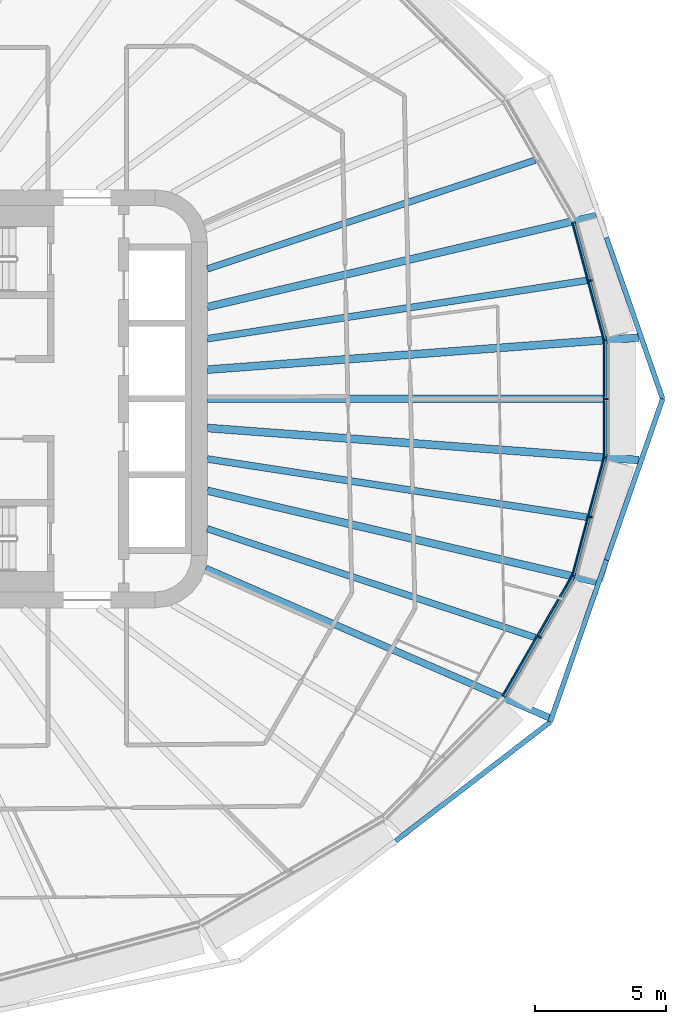
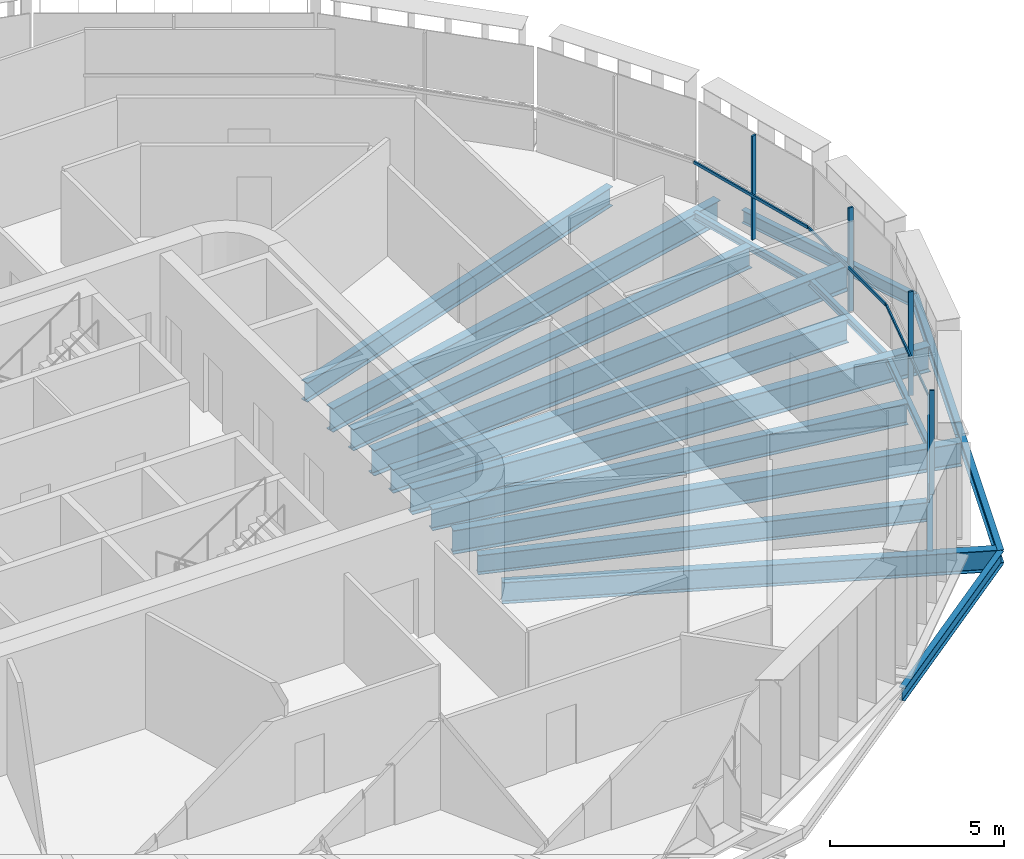
# One storey, part 5 of 22: 18 beams, 8 members, 4 elements without a shape of their own.
"""IFC4 building model written with IfcOpenShell, lengths in metres."""

from ifc_helpers import new_model, si_unit, direction, frame, origin, origin_2d, place, context, subcontext, project, spatial, rectangle, i_section, extrude, material, layer, layer_set, material_profile, profile_set, type_object, element, aggregate, save


model = new_model("IFC4")

# Units and contexts
model_context = context("Model", 3, precision=1e-05, world=origin(), true_north=direction((0.0, 1.0)))
body_context = subcontext(model_context, "Body", "Model", "MODEL_VIEW")
ifc_project = project(units=[si_unit("LENGTHUNIT", "METRE"), si_unit("AREAUNIT", "SQUARE_METRE"), si_unit("VOLUMEUNIT", "CUBIC_METRE"), si_unit("PLANEANGLEUNIT", "RADIAN"), si_unit("MASSUNIT", "GRAM", prefix="KILO")], contexts=[model_context])

# Site, building, storey
site_placement = place(None, origin())
site = spatial("IfcSite", under=ifc_project, at=site_placement, CompositionType="ELEMENT")
building_placement = place(site_placement, origin())
building = spatial("IfcBuilding", under=site, at=building_placement, Name="Sahrelin Media Tower", CompositionType="ELEMENT")
storey_placement = place(building_placement, frame((0.0, 0.0, 50.39990234375)))
storey = spatial("IfcBuildingStorey", under=building, at=storey_placement, Name="L07", CompositionType="ELEMENT", Elevation=50.39990234375)

# Beams
ifc_material_1 = material(Name="Steel S355", Category="steel")
ifc_material_profile_1 = material_profile(ifc_material_1, i_section(OverallWidth=0.14599609375, OverallDepth=0.25146484375, WebThickness=0.006103515625, FlangeThickness=0.008544921875, FilletRadius=0.007568359375, at=origin_2d()), Name="UB 254x146x31")
ifc_profile_set_1 = profile_set([ifc_material_profile_1], Name="Steel S355")
beam_type_1 = type_object("IfcBeamType", Name="Edge beam EB1", PredefinedType="BEAM", material=ifc_profile_set_1)
beam_1_placement = place(storey_placement, frame((30.21728515625, 2.226806640625, -0.275634765625), z_axis=(0.0, -1.0, 0.0), x_axis=(1.0, 0.0, 0.0)))
element("IfcBeam", 1, at=beam_1_placement, inside=storey, type_object=beam_type_1, Name="Edge beam L07-01", PredefinedType="BEAM", context=body_context, shape_type="SweptSolid", body=[
    extrude(i_section(OverallWidth=0.14599609375, OverallDepth=0.25146484375, WebThickness=0.006103515625, FlangeThickness=0.008544921875, FilletRadius=0.007568359375, at=origin_2d()), origin(), (0.0, 0.0, 1.0), 4.45361328125),
])
for number, where, z_axis, x_axis, name in (
    (2, (30.21337890625, -2.255615234375, -0.275634765625), (-0.258754408816, -0.965943143212, 0.0), (0.965943143212, -0.258754408816, 0.0), "Edge beam L07-02"),
    (3, (29.007080078125, 6.7587890625, -0.275634765625), (0.258754408816, -0.965943143212, 0.0), (0.965943143212, 0.258754408816, 0.0), "Edge beam L07-24"),
):
    element("IfcBeam", number, at=place(storey_placement, frame(where, z_axis=z_axis, x_axis=x_axis)), inside=storey, type_object=beam_type_1, Name=name, PredefinedType="BEAM", context=body_context, shape_type="SweptSolid", body=[
        extrude(i_section(OverallWidth=0.14599609375, OverallDepth=0.25146484375, WebThickness=0.006103515625, FlangeThickness=0.008544921875, FilletRadius=0.007568359375, at=origin_2d()), origin(), (0.0, 0.0, 1.0), 4.661865234375),
    ])
ifc_material_profile_2 = material_profile(ifc_material_1, i_section(OverallWidth=0.1650390625, OverallDepth=0.303466796875, WebThickness=0.006103515625, FlangeThickness=0.01025390625, FilletRadius=0.0087890625, at=origin_2d()), Name="UB 305x165x40")
ifc_profile_set_2 = profile_set([ifc_material_profile_2], Name="Steel S355")
beam_type_2 = type_object("IfcBeamType", Name="Edge beam EB2", PredefinedType="BEAM", material=ifc_profile_set_2)
beam_2_placement = place(storey_placement, frame((28.99609375, -6.785400390625, -0.301513671875), z_axis=(-0.500035096025, -0.866005140137, 0.0), x_axis=(0.866005140137, -0.500035096025, 0.0)))
element("IfcBeam", 4, at=beam_2_placement, inside=storey, type_object=beam_type_2, Name="Edge beam L07-03", PredefinedType="BEAM", context=body_context, shape_type="SweptSolid", body=[
    extrude(i_section(OverallWidth=0.1650390625, OverallDepth=0.303466796875, WebThickness=0.006103515625, FlangeThickness=0.01025390625, FilletRadius=0.0087890625, at=origin_2d()), origin(), (0.0, 0.0, 1.0), 5.3173828125),
])

# Curtain wall, member
ifc_material_2 = material(Name="Champagne anodised aluminium 6063-T6", Category="aluminium")
ifc_layer = layer(ifc_material_2, 0.14990234375)
ifc_layer_set = layer_set([ifc_layer], Name="Tower ribbon curtain wall")
curtain_wall_type = type_object("IfcCurtainWallType", Name="Tower ribbon curtain wall", PredefinedType="NOTDEFINED", material=ifc_layer_set)
curtain_wall_1_placement = place(storey_placement, frame((30.3671875, 0.0, 0.0), z_axis=(0.0, 0.0, 1.0), x_axis=(1.0, 0.0, 0.0)))
curtain_wall_1 = element("IfcCurtainWall", 5, at=curtain_wall_1_placement, inside=storey, type_object=curtain_wall_type, Name="L07:CW:L07-00", PredefinedType="NOTDEFINED")
ifc_material_profile_3 = material_profile(ifc_material_2, rectangle(XDim=0.06005859375, YDim=0.14990234375, at=origin_2d()), Name="Mullion 60x150")
ifc_profile_set_3 = profile_set([ifc_material_profile_3], Name="Champagne anodised aluminium 6063-T6")
member_type_1 = type_object("IfcMemberType", Name="Mullion 60x150 CW1", PredefinedType="MULLION", material=ifc_profile_set_3)
member_1_placement = place(storey_placement, frame((30.272216796875, 0.0, 0.0), z_axis=(0.0, 0.0, 1.0), x_axis=(0.0, 1.0, 0.0)))
member_1 = element("IfcMember", 6, at=member_1_placement, type_object=member_type_1, Name="L07:CWM:L07-00", PredefinedType="MULLION", context=body_context, shape_type="SweptSolid", body=[
    extrude(rectangle(XDim=0.06005859375, YDim=0.14990234375, at=origin_2d()), origin(), (0.0, 0.0, 1.0), 3.648681640625),
])

curtain_wall_2_placement = place(storey_placement, frame((29.755126953125, 4.5458984375, 0.0), z_axis=(0.0, 0.0, 1.0), x_axis=(1.0, 0.0, 0.0)))
curtain_wall_2 = element("IfcCurtainWall", 7, at=curtain_wall_2_placement, inside=storey, type_object=curtain_wall_type, Name="L07:CW:L07-01", PredefinedType="NOTDEFINED")
member_2_placement = place(storey_placement, frame((29.663330078125, 4.521240234375, 0.0), z_axis=(0.0, 0.0, 1.0), x_axis=(-0.258805558208, 0.965929439991, 0.0)))
member_2 = element("IfcMember", 8, at=member_2_placement, type_object=member_type_1, Name="L07:CWM:L07-01", PredefinedType="MULLION", context=body_context, shape_type="SweptSolid", body=[
    extrude(rectangle(XDim=0.06005859375, YDim=0.14990234375, at=origin_2d()), origin(), (0.0, 0.0, 1.0), 3.648681640625),
])

curtain_wall_3_placement = place(storey_placement, frame((27.79638671875, -9.162841796875, 0.0), z_axis=(0.0, 0.0, 1.0), x_axis=(1.0, 0.0, 0.0)))
curtain_wall_3 = element("IfcCurtainWall", 9, at=curtain_wall_3_placement, inside=storey, type_object=curtain_wall_type, Name="L07:CW:L07-22", PredefinedType="NOTDEFINED")
member_3_placement = place(storey_placement, frame((27.714111328125, -9.115234375, 0.0), z_axis=(0.0, 0.0, 1.0), x_axis=(0.500001511499, 0.866024531118, 0.0)))
member_3 = element("IfcMember", 10, at=member_3_placement, type_object=member_type_1, Name="L07:CWM:L07-22", PredefinedType="MULLION", context=body_context, shape_type="SweptSolid", body=[
    extrude(rectangle(XDim=0.06005859375, YDim=0.14990234375, at=origin_2d()), origin(), (0.0, 0.0, 1.0), 3.648681640625),
])

curtain_wall_4_placement = place(storey_placement, frame((29.755126953125, -4.5458984375, 0.0), z_axis=(0.0, 0.0, 1.0), x_axis=(1.0, 0.0, 0.0)))
curtain_wall_4 = element("IfcCurtainWall", 11, at=curtain_wall_4_placement, inside=storey, type_object=curtain_wall_type, Name="L07:CW:L07-23", PredefinedType="NOTDEFINED")
member_4_placement = place(storey_placement, frame((29.663330078125, -4.521240234375, 0.0), z_axis=(0.0, 0.0, 1.0), x_axis=(0.258805558208, 0.965929439991, 0.0)))
member_4 = element("IfcMember", 12, at=member_4_placement, type_object=member_type_1, Name="L07:CWM:L07-23", PredefinedType="MULLION", context=body_context, shape_type="SweptSolid", body=[
    extrude(rectangle(XDim=0.06005859375, YDim=0.14990234375, at=origin_2d()), origin(), (0.0, 0.0, 1.0), 3.648681640625),
])

# Beams
ifc_material_profile_4 = material_profile(ifc_material_1, i_section(OverallWidth=0.291748046875, OverallDepth=0.8349609375, WebThickness=0.013916015625, FlangeThickness=0.018798828125, FilletRadius=0.017822265625, at=origin_2d()), Name="UB 838x292x176")
ifc_profile_set_4 = profile_set([ifc_material_profile_4], Name="Steel S355")
beam_type_3 = type_object("IfcBeamType", Name="Radial primary beam PB10", PredefinedType="BEAM", material=ifc_profile_set_4)
for number, where, z_axis, x_axis, name in (
    (13, (15.0, 3.515625, -0.5673828125), (0.973611543966, 0.228211659333, 0.0), (-0.228211659333, 0.973611543966, 0.0), "Radial beam L07-02"),
    (14, (15.0, -3.515625, -0.5673828125), (0.973611543966, -0.228211659333, 0.0), (0.228211659333, 0.973611543966, 0.0), "Radial beam L07-23"),
):
    element("IfcBeam", number, at=place(storey_placement, frame(where, z_axis=z_axis, x_axis=x_axis)), inside=storey, type_object=beam_type_3, Name=name, PredefinedType="BEAM", context=body_context, shape_type="SweptSolid", body=[
        extrude(i_section(OverallWidth=0.291748046875, OverallDepth=0.8349609375, WebThickness=0.013916015625, FlangeThickness=0.018798828125, FilletRadius=0.017822265625, at=origin_2d()), origin(), (0.0, 0.0, 1.0), 15.291748046875),
    ])
ifc_material_profile_5 = material_profile(ifc_material_1, i_section(OverallWidth=0.30322265625, OverallDepth=0.903076171875, WebThickness=0.01513671875, FlangeThickness=0.020263671875, FilletRadius=0.01904296875, at=origin_2d()), Name="UB 914x305x201")
ifc_profile_set_5 = profile_set([ifc_material_profile_5], Name="Steel S355")
beam_type_4 = type_object("IfcBeamType", Name="Radial primary beam PB11", PredefinedType="BEAM", material=ifc_profile_set_5)
for number, where, z_axis, x_axis, name in (
    (15, (15.0, 1.116943359375, -0.601318359375), (0.997239800051, 0.074248105658, 0.0), (-0.074248105658, 0.997239800051, 0.0), "Radial beam L07-01"),
    (16, (15.0, -1.116943359375, -0.601318359375), (0.997239800051, -0.074248105658, 0.0), (0.074248105658, 0.997239800051, 0.0), "Radial beam L07-24"),
):
    element("IfcBeam", number, at=place(storey_placement, frame(where, z_axis=z_axis, x_axis=x_axis)), inside=storey, type_object=beam_type_4, Name=name, PredefinedType="BEAM", context=body_context, shape_type="SweptSolid", body=[
        extrude(i_section(OverallWidth=0.30322265625, OverallDepth=0.903076171875, WebThickness=0.01513671875, FlangeThickness=0.020263671875, FilletRadius=0.01904296875, at=origin_2d()), origin(), (0.0, 0.0, 1.0), 16.555908203125),
    ])
ifc_material_profile_6 = material_profile(ifc_material_1, i_section(OverallWidth=0.26513671875, OverallDepth=0.75390625, WebThickness=0.0126953125, FlangeThickness=0.017578125, FilletRadius=0.0166015625, at=origin_2d()), Name="UB 762x267x147")
ifc_profile_set_6 = profile_set([ifc_material_profile_6], Name="Steel S355")
beam_type_5 = type_object("IfcBeamType", Name="Radial primary beam PB9", PredefinedType="BEAM", material=ifc_profile_set_6)
beam_3_placement = place(storey_placement, frame((14.935302734375, -6.49072265625, -0.52685546875), z_axis=(0.917134773268, -0.398577229232, 0.0), x_axis=(0.398577229232, 0.917134773268, 0.0)))
element("IfcBeam", 17, at=beam_3_placement, inside=storey, type_object=beam_type_5, Name="Radial beam L07-22", PredefinedType="BEAM", context=body_context, shape_type="SweptSolid", body=[
    extrude(i_section(OverallWidth=0.26513671875, OverallDepth=0.75390625, WebThickness=0.0126953125, FlangeThickness=0.017578125, FilletRadius=0.0166015625, at=origin_2d()), origin(), (0.0, 0.0, 1.0), 14.331298828125),
])
ifc_material_profile_7 = material_profile(ifc_material_1, i_section(OverallWidth=0.291748046875, OverallDepth=0.8349609375, WebThickness=0.013916015625, FlangeThickness=0.018798828125, FilletRadius=0.017822265625, at=origin_2d()), Name="UB 838x292x176")
ifc_profile_set_7 = profile_set([ifc_material_profile_7], Name="Steel S355")
beam_type_6 = type_object("IfcBeamType", Name="Radial secondary beam SB10", PredefinedType="BEAM", material=ifc_profile_set_7)
beam_4_placement = place(storey_placement, frame((15.0, 0.0, -0.5673828125), z_axis=(1.0, 0.0, 0.0), x_axis=(0.0, 1.0, 0.0)))
element("IfcBeam", 18, at=beam_4_placement, inside=storey, type_object=beam_type_6, Name="Secondary beam L07-24", PredefinedType="BEAM", context=body_context, shape_type="SweptSolid", body=[
    extrude(i_section(OverallWidth=0.291748046875, OverallDepth=0.8349609375, WebThickness=0.013916015625, FlangeThickness=0.018798828125, FilletRadius=0.017822265625, at=origin_2d()), origin(), (0.0, 0.0, 1.0), 15.144287109375),
])
ifc_material_profile_8 = material_profile(ifc_material_1, i_section(OverallWidth=0.2529296875, OverallDepth=0.677978515625, WebThickness=0.01171875, FlangeThickness=0.01611328125, FilletRadius=0.01513671875, at=origin_2d()), Name="UB 686x254x125")
ifc_profile_set_8 = profile_set([ifc_material_profile_8], Name="Steel S355")
beam_type_7 = type_object("IfcBeamType", Name="Radial secondary beam SB8", PredefinedType="BEAM", material=ifc_profile_set_8)
for number, where, z_axis, x_axis, name in (
    (19, (15.0, 4.972412109375, -0.48876953125), (0.949201052474, 0.314670243242, 0.0), (-0.314670243242, 0.949201052474, 0.0), "Secondary beam L07-02"),
    (20, (15.0, -4.972412109375, -0.48876953125), (0.949201052474, -0.314670243242, 0.0), (0.314670243242, 0.949201052474, 0.0), "Secondary beam L07-22"),
):
    element("IfcBeam", number, at=place(storey_placement, frame(where, z_axis=z_axis, x_axis=x_axis)), inside=storey, type_object=beam_type_7, Name=name, PredefinedType="BEAM", context=body_context, shape_type="SweptSolid", body=[
        extrude(i_section(OverallWidth=0.2529296875, OverallDepth=0.677978515625, WebThickness=0.01171875, FlangeThickness=0.01611328125, FilletRadius=0.01513671875, at=origin_2d()), origin(), (0.0, 0.0, 1.0), 13.217529296875),
    ])
ifc_material_profile_9 = material_profile(ifc_material_1, i_section(OverallWidth=0.26513671875, OverallDepth=0.75390625, WebThickness=0.0126953125, FlangeThickness=0.017578125, FilletRadius=0.0166015625, at=origin_2d()), Name="UB 762x267x147")
ifc_profile_set_9 = profile_set([ifc_material_profile_9], Name="Steel S355")
beam_type_8 = type_object("IfcBeamType", Name="Radial secondary beam SB9", PredefinedType="BEAM", material=ifc_profile_set_9)
for number, where, z_axis, x_axis, name in (
    (21, (15.0, 2.302001953125, -0.52685546875), (0.988428851569, 0.151685218084, 0.0), (-0.151685218084, 0.988428851569, 0.0), "Secondary beam L07-01"),
    (22, (15.0, -2.302001953125, -0.52685546875), (0.988428851569, -0.151685218084, 0.0), (0.151685218084, 0.988428851569, 0.0), "Secondary beam L07-23"),
):
    element("IfcBeam", number, at=place(storey_placement, frame(where, z_axis=z_axis, x_axis=x_axis)), inside=storey, type_object=beam_type_8, Name=name, PredefinedType="BEAM", context=body_context, shape_type="SweptSolid", body=[
        extrude(i_section(OverallWidth=0.26513671875, OverallDepth=0.75390625, WebThickness=0.0126953125, FlangeThickness=0.017578125, FilletRadius=0.0166015625, at=origin_2d()), origin(), (0.0, 0.0, 1.0), 14.6982421875),
    ])
ifc_material_profile_10 = material_profile(ifc_material_1, i_section(OverallWidth=0.1904296875, OverallDepth=0.45703125, WebThickness=0.009033203125, FlangeThickness=0.014404296875, FilletRadius=0.01025390625, at=origin_2d()), Name="UB 457x191x74")
ifc_profile_set_10 = profile_set([ifc_material_profile_10], Name="Steel S355")
beam_type_9 = type_object("IfcBeamType", Name="Tie chord TC5", PredefinedType="BEAM", material=ifc_profile_set_10)
beam_5_placement = place(storey_placement, frame((32.427978515625, 0.0, -0.37841796875), z_axis=(-0.328829204922, -0.944389408025, 0.0), x_axis=(0.944389408025, -0.328829204922, 0.0)))
element("IfcBeam", 23, at=beam_5_placement, inside=storey, type_object=beam_type_9, Name="Tie chord L07-01", PredefinedType="BEAM", context=body_context, shape_type="SweptSolid", body=[
    extrude(i_section(OverallWidth=0.1904296875, OverallDepth=0.45703125, WebThickness=0.009033203125, FlangeThickness=0.014404296875, FilletRadius=0.01025390625, at=origin_2d()), origin(), (0.0, 0.0, 1.0), 6.535888671875),
])
beam_6_placement = place(storey_placement, frame((30.27880859375, -6.17236328125, -0.37841796875), z_axis=(-0.328689445257, -0.944438059682, 0.0), x_axis=(0.944438059682, -0.328689445257, 0.0)))
element("IfcBeam", 24, at=beam_6_placement, inside=storey, type_object=beam_type_9, Name="Tie chord L07-02", PredefinedType="BEAM", context=body_context, shape_type="SweptSolid", body=[
    extrude(i_section(OverallWidth=0.1904296875, OverallDepth=0.45703125, WebThickness=0.009033203125, FlangeThickness=0.014404296875, FilletRadius=0.01025390625, at=origin_2d()), origin(), (0.0, 0.0, 1.0), 6.562255859375),
])
beam_7_placement = place(storey_placement, frame((28.121826171875, -12.3701171875, -0.37841796875), z_axis=(-0.792441485976, -0.609947941471, 0.0), x_axis=(0.609947941471, -0.792441485976, 0.0)))
element("IfcBeam", 25, at=beam_7_placement, inside=storey, type_object=beam_type_9, Name="Tie chord L07-03", PredefinedType="BEAM", context=body_context, shape_type="SweptSolid", body=[
    extrude(i_section(OverallWidth=0.1904296875, OverallDepth=0.45703125, WebThickness=0.009033203125, FlangeThickness=0.014404296875, FilletRadius=0.01025390625, at=origin_2d()), origin(), (0.0, 0.0, 1.0), 7.4609375),
])
beam_8_placement = place(storey_placement, frame((30.27880859375, 6.17236328125, -0.37841796875), z_axis=(0.328829204922, -0.944389408025, 0.0), x_axis=(0.944389408025, 0.328829204922, 0.0)))
element("IfcBeam", 26, at=beam_8_placement, inside=storey, type_object=beam_type_9, Name="Tie chord L07-24", PredefinedType="BEAM", context=body_context, shape_type="SweptSolid", body=[
    extrude(i_section(OverallWidth=0.1904296875, OverallDepth=0.45703125, WebThickness=0.009033203125, FlangeThickness=0.014404296875, FilletRadius=0.01025390625, at=origin_2d()), origin(), (0.0, 0.0, 1.0), 6.535888671875),
])

# Member
ifc_material_profile_11 = material_profile(ifc_material_2, rectangle(XDim=0.050048828125, YDim=0.10009765625, at=origin_2d()), Name="Transom 50x100")
ifc_profile_set_11 = profile_set([ifc_material_profile_11], Name="Champagne anodised aluminium 6063-T6")
member_type_2 = type_object("IfcMemberType", Name="Transom 50x100 CW1", PredefinedType="USERDEFINED", material=ifc_profile_set_11)
member_5_placement = place(storey_placement, frame((30.17236328125, -2.211181640625, 1.60009765625), z_axis=(0.0, 1.0, 0.0), x_axis=(-1.0, 0.0, 0.0)))
member_5 = element("IfcMember", 27, at=member_5_placement, type_object=member_type_2, Name="L07:CWT:L07-00", ObjectType="TRANSOM", PredefinedType="USERDEFINED", context=body_context, shape_type="SweptSolid", body=[
    extrude(rectangle(XDim=0.050048828125, YDim=0.10009765625, at=origin_2d()), origin(), (0.0, 0.0, 1.0), 4.42236328125),
])

aggregate(curtain_wall_1, [member_1, member_5])

member_6_placement = place(storey_placement, frame((30.166015625, 2.259033203125, 1.60009765625), z_axis=(-0.258827447024, 0.965923574962, 0.0), x_axis=(-0.965923574962, -0.258827447024, 0.0)))
member_6 = element("IfcMember", 28, at=member_6_placement, type_object=member_type_2, Name="L07:CWT:L07-01", ObjectType="TRANSOM", PredefinedType="USERDEFINED", context=body_context, shape_type="SweptSolid", body=[
    extrude(rectangle(XDim=0.050048828125, YDim=0.10009765625, at=origin_2d()), origin(), (0.0, 0.0, 1.0), 4.63037109375),
])

aggregate(curtain_wall_2, [member_2, member_6])

member_7_placement = place(storey_placement, frame((26.30615234375, -11.354248046875, 1.60009765625), z_axis=(0.500003640647, 0.866023301845, 0.0), x_axis=(-0.866023301845, 0.500003640647, 0.0)))
member_7 = element("IfcMember", 29, at=member_7_placement, type_object=member_type_2, Name="L07:CWT:L07-22", ObjectType="TRANSOM", PredefinedType="USERDEFINED", context=body_context, shape_type="SweptSolid", body=[
    extrude(rectangle(XDim=0.050048828125, YDim=0.10009765625, at=origin_2d()), origin(), (0.0, 0.0, 1.0), 5.2861328125),
])

aggregate(curtain_wall_3, [member_3, member_7])

member_8_placement = place(storey_placement, frame((28.967529296875, -6.731689453125, 1.60009765625), z_axis=(0.258827447024, 0.965923574962, 0.0), x_axis=(-0.965923574962, 0.258827447024, 0.0)))
member_8 = element("IfcMember", 30, at=member_8_placement, type_object=member_type_2, Name="L07:CWT:L07-23", ObjectType="TRANSOM", PredefinedType="USERDEFINED", context=body_context, shape_type="SweptSolid", body=[
    extrude(rectangle(XDim=0.050048828125, YDim=0.10009765625, at=origin_2d()), origin(), (0.0, 0.0, 1.0), 4.63037109375),
])

aggregate(curtain_wall_4, [member_4, member_8])

save(model, "model.ifc")
